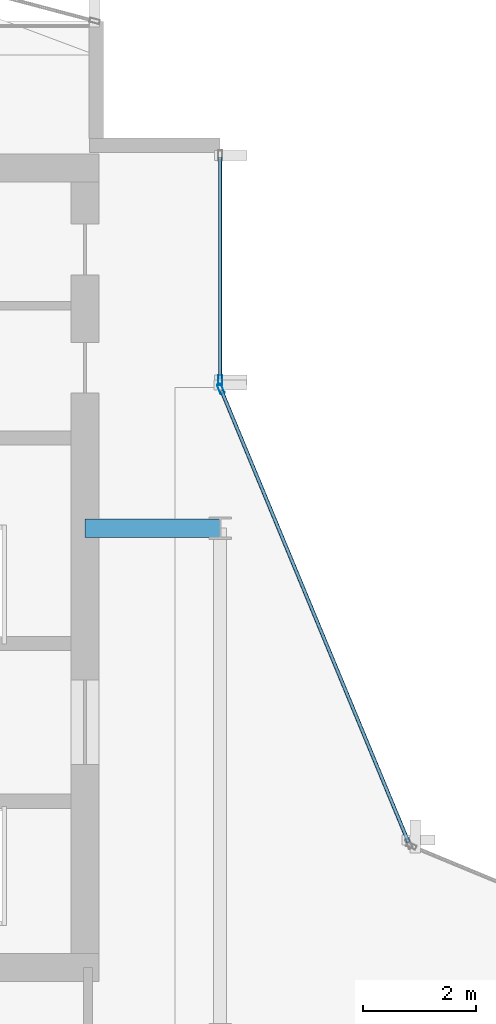
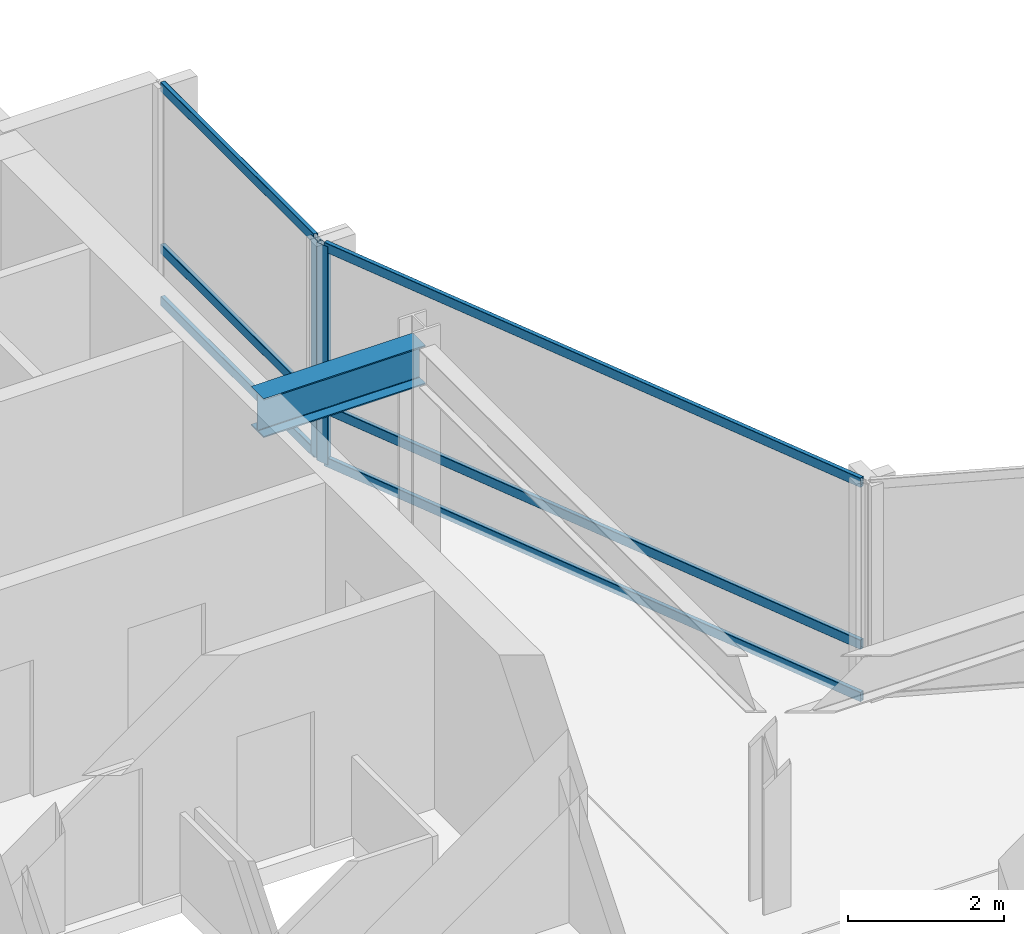
# One storey, part 17 of 28: 8 members, 1 beam, 2 elements without a shape of their own.
"""IFC4 building model written with IfcOpenShell, lengths in metres."""

import ifcopenshell
import ifcopenshell.guid

model = None  # the IFC model being written
_history = None  # IfcOwnerHistory: only IFC2X3 demands one
_inside = {}  # id of a spatial element -> (the spatial element, [elements in it])
_under = {}  # id of a project, library or spatial element -> (it, [spatial elements below it])
_declared = {}  # id of a project -> (the project, [libraries it declares])
_typed = {}  # id of a type object -> (the type object, [elements of that type])
_made_of = {}  # id of a material, layer set ... -> (it, [elements and type objects made of it])


def new_model(schema):
    """Start an empty IFC model of exactly this schema.

    Asked for "IFC4X3", IfcOpenShell would pick the latest addendum, in which some entities
    have other attributes; the version numbers below select the first issue.
    IFC2X3 requires an IfcOwnerHistory on every rooted entity: one is made here for all.
    """
    global model, _history
    if schema == "IFC4X3":
        model = ifcopenshell.file(schema_version=(4, 3, 0, 0))
    else:
        model = ifcopenshell.file(schema=schema)
    _inside.clear()
    _under.clear()
    _declared.clear()
    _typed.clear()
    _made_of.clear()
    _history = None
    if model.schema == "IFC2X3":
        org = make("IfcOrganization", Name="unknown")
        user = make(
            "IfcPersonAndOrganization",
            ThePerson=make("IfcPerson", FamilyName="unknown"),
            TheOrganization=org,
        )
        app = make(
            "IfcApplication",
            ApplicationDeveloper=org,
            Version="unknown",
            ApplicationFullName="unknown",
            ApplicationIdentifier="unknown",
        )
        _history = make(
            "IfcOwnerHistory",
            OwningUser=user,
            OwningApplication=app,
            ChangeAction="ADDED",
            CreationDate=0,
        )
    return model


def make(cls, **values):
    """One entity of the class cls with the attributes given. An attribute that is None is left unset."""
    return model.create_entity(
        cls, **{name: value for name, value in values.items() if value is not None}
    )


def rooted(cls, **values):
    """An entity with a GlobalId (a new one), such as an element, a storey or a relation."""
    return make(cls, GlobalId=ifcopenshell.guid.new(), OwnerHistory=_history, **values)


def si_unit(unit_type, name, prefix=None):
    """IfcSIUnit, for example si_unit("LENGTHUNIT", "METRE", prefix="MILLI")."""
    return make("IfcSIUnit", UnitType=unit_type, Prefix=prefix, Name=name)


def assignment(units):
    """IfcUnitAssignment: the units of a project."""
    return None if units is None else make("IfcUnitAssignment", Units=units)


def point(xyz):
    """IfcCartesianPoint."""
    return None if xyz is None else make("IfcCartesianPoint", Coordinates=xyz)


def direction(xyz):
    """IfcDirection."""
    return None if xyz is None else make("IfcDirection", DirectionRatios=xyz)


def frame(location, z_axis=None, x_axis=None):
    """IfcAxis2Placement3D, a coordinate frame: its origin and axes. An axis left out is left unset."""
    return make(
        "IfcAxis2Placement3D",
        Location=point(location),
        Axis=direction(z_axis),
        RefDirection=direction(x_axis),
    )


def frame_2d(location, x_axis=None):
    """IfcAxis2Placement2D, a coordinate frame in the plane: its origin and x axis."""
    return make(
        "IfcAxis2Placement2D", Location=point(location), RefDirection=direction(x_axis)
    )


def origin():
    """The frame at (0, 0, 0) with its axes left unset."""
    return frame((0.0, 0.0, 0.0))


def origin_2d():
    """The frame at (0, 0) in the plane with its x axis left unset."""
    return frame_2d((0.0, 0.0))


def place(relative_to, where):
    """IfcLocalPlacement: puts the frame where relative to a parent placement (None: the world)."""
    return make(
        "IfcLocalPlacement", PlacementRelTo=relative_to, RelativePlacement=where
    )


def context(
    kind, dimensions, precision=None, world=None, true_north=None, identifier=None
):
    """IfcGeometricRepresentationContext, for example the 3D "Model" context."""
    return make(
        "IfcGeometricRepresentationContext",
        ContextIdentifier=identifier,
        ContextType=kind,
        CoordinateSpaceDimension=dimensions,
        Precision=precision,
        WorldCoordinateSystem=world,
        TrueNorth=true_north,
    )


def subcontext(parent, identifier, kind, view, scale=None):
    """IfcGeometricRepresentationSubContext, for example "Body" below "Model"."""
    return make(
        "IfcGeometricRepresentationSubContext",
        ContextIdentifier=identifier,
        ContextType=kind,
        ParentContext=parent,
        TargetScale=scale,
        TargetView=view,
    )


def project(units=None, contexts=None):
    """IfcProject with its units and contexts."""
    return rooted(
        "IfcProject",
        Name="project",
        RepresentationContexts=contexts,
        UnitsInContext=assignment(units),
    )


def spatial(cls, under=None, at=None, **own):
    """A site, building, storey or space (cls), placed at a placement, below another one or the project."""
    s = rooted(cls, ObjectPlacement=at, **own)
    if under is not None:
        _under.setdefault(under.id(), (under, []))[1].append(s)
    return s


def profile(cls, at=None, kind="AREA", **sizes):
    """A parametric profile (cls). Its sizes go by their IFC names, for example OverallWidth=200.0."""
    return make(cls, ProfileType=kind, Position=at, **sizes)


def hollow_rectangle(**sizes):
    """IfcRectangleHollowProfileDef."""
    return profile("IfcRectangleHollowProfileDef", **sizes)


def i_section(**sizes):
    """IfcIShapeProfileDef."""
    return profile("IfcIShapeProfileDef", **sizes)


def extrude(swept, where, along, depth):
    """IfcExtrudedAreaSolid: the profile swept, set in the frame where, extruded along a direction by depth."""
    return make(
        "IfcExtrudedAreaSolid",
        SweptArea=swept,
        Position=where,
        ExtrudedDirection=direction(along),
        Depth=depth,
    )


def shape(context_of_items, identifier, shape_type, items):
    """IfcShapeRepresentation: the items that make up one representation, for example the "Body"."""
    return make(
        "IfcShapeRepresentation",
        ContextOfItems=context_of_items,
        RepresentationIdentifier=identifier,
        RepresentationType=shape_type,
        Items=items,
    )


def material(Name=None, Category=None):
    """IfcMaterial."""
    return make("IfcMaterial", Name=Name, Category=Category)


def layer(
    of_material, thickness, ventilated=None, Name=None, Category=None, Priority=None
):
    """IfcMaterialLayer: one layer of a wall or slab, of a material (None: an air gap)."""
    return make(
        "IfcMaterialLayer",
        Material=of_material,
        LayerThickness=thickness,
        IsVentilated=ventilated,
        Name=Name,
        Category=Category,
        Priority=Priority,
    )


def layer_set(layers, Name=None):
    """IfcMaterialLayerSet."""
    return make("IfcMaterialLayerSet", MaterialLayers=layers, LayerSetName=Name)


def material_profile(
    of_material, cross_section, Name=None, Category=None, Priority=None
):
    """IfcMaterialProfile: a cross section and its material."""
    return make(
        "IfcMaterialProfile",
        Name=Name,
        Material=of_material,
        Profile=cross_section,
        Priority=Priority,
        Category=Category,
    )


def profile_set(profiles, Name=None, composite=None):
    """IfcMaterialProfileSet."""
    return make(
        "IfcMaterialProfileSet",
        Name=Name,
        MaterialProfiles=profiles,
        CompositeProfile=composite,
    )


def made_of(thing, what):
    """Note that an element or type object is made of a material, layer set ...; save() writes the relation."""
    if what is not None:
        _made_of.setdefault(what.id(), (what, []))[1].append(thing)
    return thing


def type_object(cls, material=None, **own):
    """A type object (cls), such as IfcWallType, which elements share."""
    return made_of(rooted(cls, **own), material)


def element(
    cls,
    number,
    at=None,
    inside=None,
    cuts=None,
    type_object=None,
    material=None,
    context=None,
    identifier="Body",
    shape_type=None,
    held_by="IfcProductDefinitionShape",
    body=None,
    shapes=None,
    **own,
):
    """One element of the class cls, such as IfcWall. Its Tag is "e" and its number.

    at: its placement. inside: the storey or other place that contains it. cuts: it is an
    opening in that element (IfcRelVoidsElement). A single representation is given by context,
    identifier, shape_type and body (its items); several are given by shapes. held_by: the class
    of the entity that holds the representations. save() writes the other relations.
    """
    e = rooted(cls, Tag="e%d" % number, ObjectPlacement=at, **own)
    if body is not None:
        shapes = [shape(context, identifier, shape_type, body)]
    if shapes is not None:
        e.Representation = make(held_by, Representations=shapes)
    if inside is not None:
        _inside.setdefault(inside.id(), (inside, []))[1].append(e)
    if cuts is not None:
        rooted(
            "IfcRelVoidsElement", RelatingBuildingElement=cuts, RelatedOpeningElement=e
        )
    if type_object is not None:
        _typed.setdefault(type_object.id(), (type_object, []))[1].append(e)
    return made_of(e, material)


def aggregate(whole, parts):
    """IfcRelAggregates: a whole, such as a stair, and the parts it consists of."""
    return rooted("IfcRelAggregates", RelatingObject=whole, RelatedObjects=parts)


def save(model, path):
    """Write the relations noted so far, then the file.

    IfcRelAggregates (storeys below a building ...), IfcRelContainedInSpatialStructure (elements
    in a storey), IfcRelDefinesByType, IfcRelAssociatesMaterial and IfcRelDeclares: one each for
    every whole, place, type object, material and project.
    """
    for whole, parts in _under.values():
        aggregate(whole, parts)
    for where, things in _inside.values():
        rooted(
            "IfcRelContainedInSpatialStructure",
            RelatedElements=things,
            RelatingStructure=where,
        )
    for kind, things in _typed.values():
        rooted("IfcRelDefinesByType", RelatedObjects=things, RelatingType=kind)
    for what, things in _made_of.values():
        rooted("IfcRelAssociatesMaterial", RelatedObjects=things, RelatingMaterial=what)
    for by, libraries in _declared.values():
        rooted("IfcRelDeclares", RelatingContext=by, RelatedDefinitions=libraries)
    model.write(path)


model = new_model("IFC4")

# Units and contexts
model_context = context("Model", 3, precision=1e-05, world=origin(), true_north=direction((0.0, 1.0)))
body_context = subcontext(model_context, "Body", "Model", "MODEL_VIEW")
ifc_project = project(units=[si_unit("LENGTHUNIT", "METRE"), si_unit("AREAUNIT", "SQUARE_METRE"), si_unit("VOLUMEUNIT", "CUBIC_METRE"), si_unit("PLANEANGLEUNIT", "RADIAN"), si_unit("MASSUNIT", "GRAM", prefix="KILO")], contexts=[model_context])

# Site, building, storey
site_placement = place(None, origin())
site = spatial("IfcSite", under=ifc_project, at=site_placement, CompositionType="ELEMENT")
building_placement = place(site_placement, origin())
building = spatial("IfcBuilding", under=site, at=building_placement, Name="Solvaryn Broadcast Tower", CompositionType="ELEMENT")
storey_placement = place(building_placement, frame((0.0, 0.0, 206.199951171875)))
storey = spatial("IfcBuildingStorey", under=building, at=storey_placement, Name="L51", CompositionType="ELEMENT", Elevation=206.199951171875)

# Beam
ifc_material_1 = material(Name="Steel ASTM A992 Grade 50", Category="steel")
ifc_material_profile_1 = material_profile(ifc_material_1, i_section(OverallWidth=0.323974609375, OverallDepth=0.611083984375, WebThickness=0.0126953125, FlangeThickness=0.01904296875, FilletRadius=0.014892578125, at=origin_2d()))
ifc_profile_set_1 = profile_set([ifc_material_profile_1], Name="Steel ASTM A992 Grade 50")
beam_type = type_object("IfcBeamType", Name="BM-B1-W24X104", PredefinedType="BEAM", material=ifc_profile_set_1)
beam_placement = place(storey_placement, frame((24.60009765625, 36.0, 3.114501953125), z_axis=(1.0, 0.0, 0.0), x_axis=(0.0, 1.0, 0.0)))
element("IfcBeam", 1, at=beam_placement, inside=storey, type_object=beam_type, Name="L51 Core Tie Beam CTW2", PredefinedType="BEAM", context=body_context, shape_type="SweptSolid", body=[
    extrude(i_section(OverallWidth=0.323974609375, OverallDepth=0.611083984375, WebThickness=0.0126953125, FlangeThickness=0.01904296875, FilletRadius=0.014892578125, at=origin_2d()), origin(), (0.0, 0.0, 1.0), 2.39990234375),
])

# Curtain wall, member
ifc_material_2 = material(Name="Aluminium and Terracotta Unitised Curtain Wall", Category="masonry")
ifc_layer = layer(ifc_material_2, 0.199951171875)
ifc_layer_set = layer_set([ifc_layer], Name="CW-SYS2-LOWMID")
curtain_wall_type = type_object("IfcCurtainWallType", Name="CW-SYS2-LOWMID", PredefinedType="NOTDEFINED", material=ifc_layer_set)
curtain_wall_1_placement = place(storey_placement, origin())
curtain_wall_1 = element("IfcCurtainWall", 2, at=curtain_wall_1_placement, inside=storey, type_object=curtain_wall_type, Name="L51 Curtain Wall IV", PredefinedType="NOTDEFINED")
ifc_material_3 = material(Name="Anodised Aluminium 6063-T6", Category="aluminium")
ifc_material_profile_2 = material_profile(ifc_material_3, hollow_rectangle(XDim=0.074951171875, YDim=0.179931640625, WallThickness=0.00390625, InnerFilletRadius=0.00390625, OuterFilletRadius=0.008056640625, at=origin_2d()))
ifc_profile_set_2 = profile_set([ifc_material_profile_2], Name="Anodised Aluminium 6063-T6")
member_type_1 = type_object("IfcMemberType", Name="CW-MUL-180", PredefinedType="MULLION", material=ifc_profile_set_2)
member_1_placement = place(storey_placement, frame((27.0, 38.6298828125, 0.0), z_axis=(0.0, 0.0, 1.0), x_axis=(1.0, 0.0, 0.0)))
member_1 = element("IfcMember", 3, at=member_1_placement, type_object=member_type_1, Name="CWS2 mullion 2", PredefinedType="MULLION", context=body_context, shape_type="SweptSolid", body=[
    extrude(hollow_rectangle(XDim=0.074951171875, YDim=0.179931640625, WallThickness=0.00390625, InnerFilletRadius=0.00390625, OuterFilletRadius=0.008056640625, at=origin_2d()), origin(), (0.0, 0.0, 1.0), 3.420166015625),
])

curtain_wall_2_placement = place(storey_placement, origin())
curtain_wall_2 = element("IfcCurtainWall", 4, at=curtain_wall_2_placement, inside=storey, type_object=curtain_wall_type, Name="L51 Curtain Wall CN2", PredefinedType="NOTDEFINED")
member_2_placement = place(storey_placement, frame((27.011474609375, 38.47216796875, 0.0), z_axis=(0.0, 0.0, 1.0), x_axis=(-0.923894983957, -0.382646127145, 0.0)))
member_2 = element("IfcMember", 5, at=member_2_placement, type_object=member_type_1, Name="CWS2 mullion 2", PredefinedType="MULLION", context=body_context, shape_type="SweptSolid", body=[
    extrude(hollow_rectangle(XDim=0.074951171875, YDim=0.179931640625, WallThickness=0.00390625, InnerFilletRadius=0.00390625, OuterFilletRadius=0.008056640625, at=origin_2d()), origin(), (0.0, 0.0, 1.0), 3.420166015625),
])

# Member
ifc_material_4 = material(Name="Anodised Aluminium 6063-T6", Category="aluminium")
ifc_material_profile_3 = material_profile(ifc_material_4, hollow_rectangle(XDim=0.06494140625, YDim=0.14990234375, WallThickness=0.00390625, InnerFilletRadius=0.00390625, OuterFilletRadius=0.008056640625, at=origin_2d()))
ifc_profile_set_3 = profile_set([ifc_material_profile_3], Name="Anodised Aluminium 6063-T6")
member_type_2 = type_object("IfcMemberType", Name="CW-TRN-150", PredefinedType="USERDEFINED", material=ifc_profile_set_3)
member_3_placement = place(storey_placement, frame((27.0, 42.590087890625, 0.030029296875), z_axis=(0.0, -1.0, 0.0), x_axis=(1.0, 0.0, 0.0)))
member_3 = element("IfcMember", 6, at=member_3_placement, type_object=member_type_2, Name="CWS2 transom 1.1", ObjectType="TRANSOM", PredefinedType="USERDEFINED", context=body_context, shape_type="SweptSolid", body=[
    extrude(hollow_rectangle(XDim=0.06494140625, YDim=0.14990234375, WallThickness=0.00390625, InnerFilletRadius=0.00390625, OuterFilletRadius=0.008056640625, at=origin_2d()), origin(), (0.0, 0.0, 1.0), 3.93017578125),
])

member_4_placement = place(storey_placement, frame((27.0, 42.590087890625, 0.85009765625), z_axis=(0.0, -1.0, 0.0), x_axis=(1.0, 0.0, 0.0)))
member_4 = element("IfcMember", 7, at=member_4_placement, type_object=member_type_2, Name="CWS2 transom 1.2", ObjectType="TRANSOM", PredefinedType="USERDEFINED", context=body_context, shape_type="SweptSolid", body=[
    extrude(hollow_rectangle(XDim=0.06494140625, YDim=0.14990234375, WallThickness=0.00390625, InnerFilletRadius=0.00390625, OuterFilletRadius=0.008056640625, at=origin_2d()), origin(), (0.0, 0.0, 1.0), 3.93017578125),
])

member_5_placement = place(storey_placement, frame((27.0, 42.590087890625, 3.39013671875), z_axis=(0.0, -1.0, 0.0), x_axis=(1.0, 0.0, 0.0)))
member_5 = element("IfcMember", 8, at=member_5_placement, type_object=member_type_2, Name="CWS2 transom 1.3", ObjectType="TRANSOM", PredefinedType="USERDEFINED", context=body_context, shape_type="SweptSolid", body=[
    extrude(hollow_rectangle(XDim=0.06494140625, YDim=0.14990234375, WallThickness=0.00390625, InnerFilletRadius=0.00390625, OuterFilletRadius=0.008056640625, at=origin_2d()), origin(), (0.0, 0.0, 1.0), 3.93017578125),
])

aggregate(curtain_wall_1, [member_1, member_3, member_4, member_5])

member_6_placement = place(storey_placement, frame((30.344970703125, 30.42333984375, 0.030029296875), z_axis=(-0.382635748975, 0.923899282177, 0.0), x_axis=(-0.923899282177, -0.382635748975, 0.0)))
member_6 = element("IfcMember", 9, at=member_6_placement, type_object=member_type_2, Name="CWS2 transom 1.1", ObjectType="TRANSOM", PredefinedType="USERDEFINED", context=body_context, shape_type="SweptSolid", body=[
    extrude(hollow_rectangle(XDim=0.06494140625, YDim=0.14990234375, WallThickness=0.00390625, InnerFilletRadius=0.00390625, OuterFilletRadius=0.008056640625, at=origin_2d()), origin(), (0.0, 0.0, 1.0), 8.681884765625),
])

member_7_placement = place(storey_placement, frame((30.344970703125, 30.42333984375, 0.85009765625), z_axis=(-0.382635748975, 0.923899282177, 0.0), x_axis=(-0.923899282177, -0.382635748975, 0.0)))
member_7 = element("IfcMember", 10, at=member_7_placement, type_object=member_type_2, Name="CWS2 transom 1.2", ObjectType="TRANSOM", PredefinedType="USERDEFINED", context=body_context, shape_type="SweptSolid", body=[
    extrude(hollow_rectangle(XDim=0.06494140625, YDim=0.14990234375, WallThickness=0.00390625, InnerFilletRadius=0.00390625, OuterFilletRadius=0.008056640625, at=origin_2d()), origin(), (0.0, 0.0, 1.0), 8.681884765625),
])

member_8_placement = place(storey_placement, frame((30.344970703125, 30.42333984375, 3.39013671875), z_axis=(-0.382635748975, 0.923899282177, 0.0), x_axis=(-0.923899282177, -0.382635748975, 0.0)))
member_8 = element("IfcMember", 11, at=member_8_placement, type_object=member_type_2, Name="CWS2 transom 1.3", ObjectType="TRANSOM", PredefinedType="USERDEFINED", context=body_context, shape_type="SweptSolid", body=[
    extrude(hollow_rectangle(XDim=0.06494140625, YDim=0.14990234375, WallThickness=0.00390625, InnerFilletRadius=0.00390625, OuterFilletRadius=0.008056640625, at=origin_2d()), origin(), (0.0, 0.0, 1.0), 8.681884765625),
])

aggregate(curtain_wall_2, [member_2, member_6, member_7, member_8])

save(model, "model.ifc")
